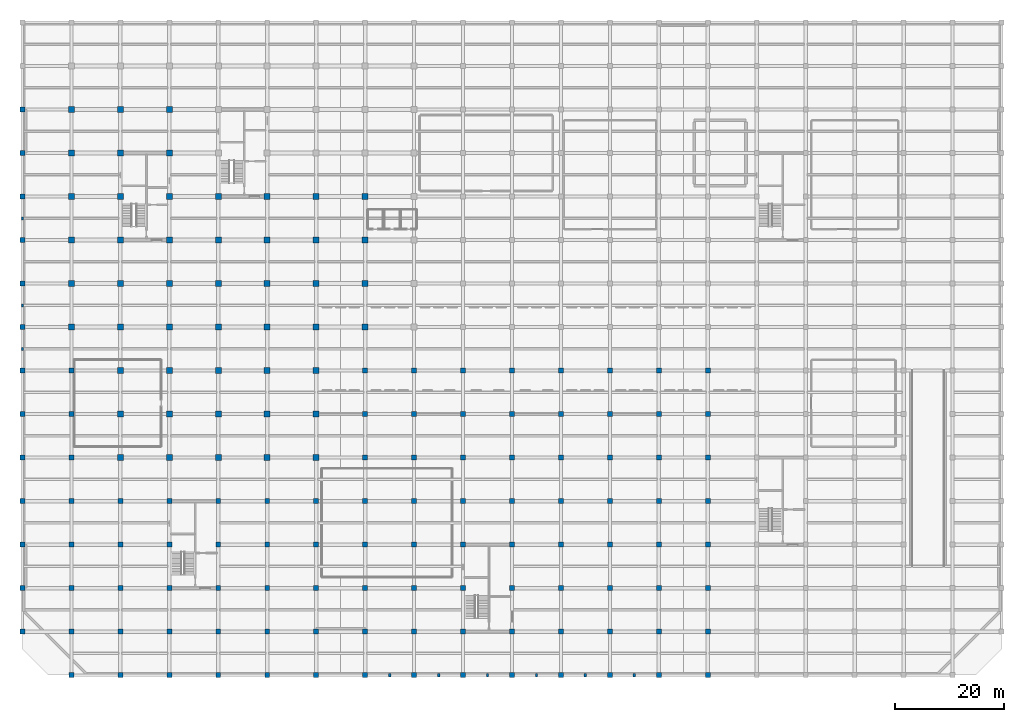
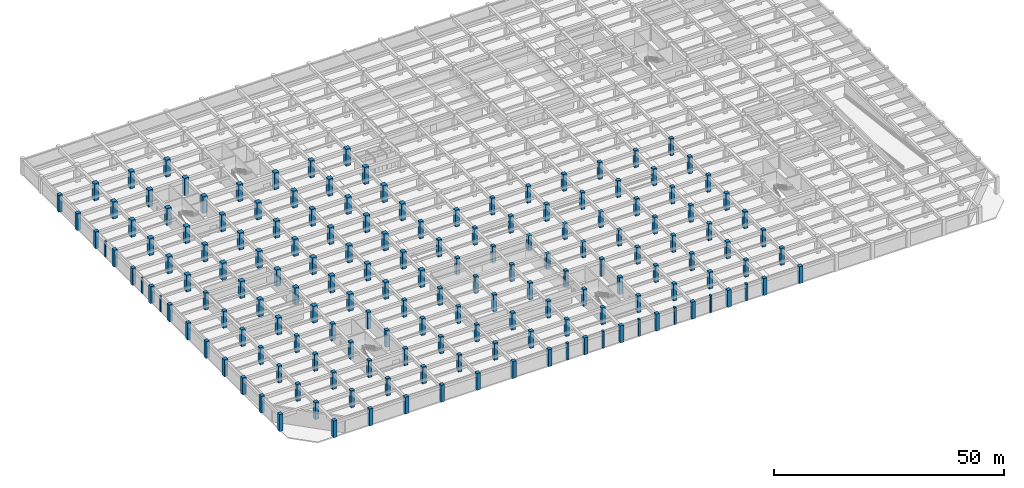
# One storey, part 1 of 26: 168 columns.
"""IFC4 building model written with IfcOpenShell, lengths in metres."""

from ifc_helpers import new_model, si_unit, direction, frame, origin, origin_2d, place, context, subcontext, project, spatial, rectangle, extrude, material, material_profile, profile_set, type_object, element, save


model = new_model("IFC4")

# Units and contexts
model_context = context("Model", 3, precision=1e-05, world=origin(), true_north=direction((0.0, 1.0)))
body_context = subcontext(model_context, "Body", "Model", "MODEL_VIEW")
ifc_project = project(units=[si_unit("LENGTHUNIT", "METRE"), si_unit("AREAUNIT", "SQUARE_METRE"), si_unit("VOLUMEUNIT", "CUBIC_METRE"), si_unit("PLANEANGLEUNIT", "RADIAN"), si_unit("MASSUNIT", "GRAM", prefix="KILO")], contexts=[model_context])

# Site, building, storey
site_placement = place(None, origin())
site = spatial("IfcSite", under=ifc_project, at=site_placement, CompositionType="ELEMENT")
building_placement = place(site_placement, origin())
building = spatial("IfcBuilding", under=site, at=building_placement, Name="Zaverband Oceanarium and Marine Research Institute", CompositionType="ELEMENT")
storey_placement = place(building_placement, frame((0.0, 0.0, -4.5)))
storey = spatial("IfcBuildingStorey", under=building, at=storey_placement, Name="B1", CompositionType="ELEMENT", Elevation=-4.5)

# Columns
ifc_material_1 = material(Name="Concrete C50/60", Category="concrete")
ifc_material_profile_1 = material_profile(ifc_material_1, rectangle(XDim=1.10009765625, YDim=1.10009765625, at=origin_2d()), Name="RC1100x1100")
ifc_profile_set_1 = profile_set([ifc_material_profile_1], Name="Concrete C50/60")
column_type_1 = type_object("IfcColumnType", Name="COL-C1100", PredefinedType="COLUMN", material=ifc_profile_set_1)
for number, where, z_axis, x_axis, name in (
    (1, (9.0, 64.0, 0.0), (0.0, 0.0, 1.0), (1.0, 0.0, 0.0), "Reinforced concrete column RC1100x1100 COL-C1100"),
    (2, (9.0, 72.0, 0.0), (0.0, 0.0, 1.0), (1.0, 0.0, 0.0), "Reinforced concrete column RC1100x1100 COL-C1100"),
    (3, (9.0, 80.0, 0.0), (0.0, 0.0, 1.0), (1.0, 0.0, 0.0), "Reinforced concrete column RC1100x1100 COL-C1100"),
    (4, (9.0, 88.0, 0.0), (0.0, 0.0, 1.0), (1.0, 0.0, 0.0), "Reinforced concrete column RC1100x1100 COL-C1100"),
    (5, (9.0, 96.0, 0.0), (0.0, 0.0, 1.0), (1.0, 0.0, 0.0), "Reinforced concrete column RC1100x1100 COL-C1100"),
    (6, (9.0, 104.0, 0.0), (0.0, 0.0, 1.0), (1.0, 0.0, 0.0), "Reinforced concrete column RC1100x1100 COL-C1100"),
    (7, (18.0, 40.0, 0.0), (0.0, 0.0, 1.0), (1.0, 0.0, 0.0), "Reinforced concrete column RC1100x1100 COL-C1100"),
    (8, (18.0, 48.0, 0.0), (0.0, 0.0, 1.0), (1.0, 0.0, 0.0), "Reinforced concrete column RC1100x1100 COL-C1100"),
    (9, (18.0, 56.0, 0.0), (0.0, 0.0, 1.0), (1.0, 0.0, 0.0), "Reinforced concrete column RC1100x1100 COL-C1100"),
    (10, (18.0, 64.0, 0.0), (0.0, 0.0, 1.0), (1.0, 0.0, 0.0), "Reinforced concrete column RC1100x1100 COL-C1100"),
    (11, (18.0, 72.0, 0.0), (0.0, 0.0, 1.0), (1.0, 0.0, 0.0), "Reinforced concrete column RC1100x1100 COL-C1100"),
    (12, (18.0, 80.0, 0.0), (0.0, 0.0, 1.0), (1.0, 0.0, 0.0), "Reinforced concrete column RC1100x1100 COL-C1100"),
    (13, (18.0, 88.0, 0.0), (0.0, 0.0, 1.0), (1.0, 0.0, 0.0), "Reinforced concrete column RC1100x1100 COL-C1100"),
    (14, (18.0, 96.0, 0.0), (0.0, 0.0, 1.0), (1.0, 0.0, 0.0), "Reinforced concrete column RC1100x1100 COL-C1100"),
    (15, (18.0, 104.0, 0.0), (0.0, 0.0, 1.0), (1.0, 0.0, 0.0), "Reinforced concrete column RC1100x1100 COL-C1100"),
    (16, (27.0, 40.0, 0.0), (0.0, 0.0, 1.0), (1.0, 0.0, 0.0), "Reinforced concrete column RC1100x1100 COL-C1100"),
    (17, (27.0, 48.0, 0.0), (0.0, 0.0, 1.0), (1.0, 0.0, 0.0), "Reinforced concrete column RC1100x1100 COL-C1100"),
    (18, (27.0, 56.0, 0.0), (0.0, 0.0, 1.0), (1.0, 0.0, 0.0), "Reinforced concrete column RC1100x1100 COL-C1100"),
    (19, (27.0, 64.0, 0.0), (0.0, 0.0, 1.0), (1.0, 0.0, 0.0), "Reinforced concrete column RC1100x1100 COL-C1100"),
    (20, (27.0, 72.0, 0.0), (0.0, 0.0, 1.0), (1.0, 0.0, 0.0), "Reinforced concrete column RC1100x1100 COL-C1100"),
    (21, (27.0, 80.0, 0.0), (0.0, 0.0, 1.0), (1.0, 0.0, 0.0), "Reinforced concrete column RC1100x1100 COL-C1100"),
    (22, (27.0, 88.0, 0.0), (0.0, 0.0, 1.0), (1.0, 0.0, 0.0), "Reinforced concrete column RC1100x1100 COL-C1100"),
    (23, (27.0, 96.0, 0.0), (0.0, 0.0, 1.0), (1.0, 0.0, 0.0), "Reinforced concrete column RC1100x1100 COL-C1100"),
    (24, (27.0, 104.0, 0.0), (0.0, 0.0, 1.0), (1.0, 0.0, 0.0), "Reinforced concrete column RC1100x1100 COL-C1100"),
    (25, (36.0, 40.0, 0.0), (0.0, 0.0, 1.0), (1.0, 0.0, 0.0), "Reinforced concrete column RC1100x1100 COL-C1100"),
    (26, (36.0, 48.0, 0.0), (0.0, 0.0, 1.0), (1.0, 0.0, 0.0), "Reinforced concrete column RC1100x1100 COL-C1100"),
    (27, (36.0, 56.0, 0.0), (0.0, 0.0, 1.0), (1.0, 0.0, 0.0), "Reinforced concrete column RC1100x1100 COL-C1100"),
    (28, (36.0, 64.0, 0.0), (0.0, 0.0, 1.0), (1.0, 0.0, 0.0), "Reinforced concrete column RC1100x1100 COL-C1100"),
    (29, (36.0, 72.0, 0.0), (0.0, 0.0, 1.0), (1.0, 0.0, 0.0), "Reinforced concrete column RC1100x1100 COL-C1100"),
    (30, (36.0, 80.0, 0.0), (0.0, 0.0, 1.0), (1.0, 0.0, 0.0), "Reinforced concrete column RC1100x1100 COL-C1100"),
    (31, (36.0, 88.0, 0.0), (0.0, 0.0, 1.0), (1.0, 0.0, 0.0), "Reinforced concrete column RC1100x1100 COL-C1100"),
    (32, (45.0, 40.0, 0.0), (0.0, 0.0, 1.0), (1.0, 0.0, 0.0), "Reinforced concrete column RC1100x1100 COL-C1100"),
    (33, (45.0, 48.0, 0.0), (0.0, 0.0, 1.0), (1.0, 0.0, 0.0), "Reinforced concrete column RC1100x1100 COL-C1100"),
    (34, (45.0, 56.0, 0.0), (0.0, 0.0, 1.0), (1.0, 0.0, 0.0), "Reinforced concrete column RC1100x1100 COL-C1100"),
    (35, (45.0, 64.0, 0.0), (0.0, 0.0, 1.0), (1.0, 0.0, 0.0), "Reinforced concrete column RC1100x1100 COL-C1100"),
    (36, (45.0, 72.0, 0.0), (0.0, 0.0, 1.0), (1.0, 0.0, 0.0), "Reinforced concrete column RC1100x1100 COL-C1100"),
    (37, (45.0, 80.0, 0.0), (0.0, 0.0, 1.0), (1.0, 0.0, 0.0), "Reinforced concrete column RC1100x1100 COL-C1100"),
    (38, (45.0, 88.0, 0.0), (0.0, 0.0, 1.0), (1.0, 0.0, 0.0), "Reinforced concrete column RC1100x1100 COL-C1100"),
    (39, (54.0, 40.0, 0.0), (0.0, 0.0, 1.0), (1.0, 0.0, 0.0), "Reinforced concrete column RC1100x1100 COL-C1100"),
    (40, (54.0, 48.0, 0.0), (0.0, 0.0, 1.0), (1.0, 0.0, 0.0), "Reinforced concrete column RC1100x1100 COL-C1100"),
    (41, (54.0, 56.0, 0.0), (0.0, 0.0, 1.0), (1.0, 0.0, 0.0), "Reinforced concrete column RC1100x1100 COL-C1100"),
    (42, (54.0, 64.0, 0.0), (0.0, 0.0, 1.0), (1.0, 0.0, 0.0), "Reinforced concrete column RC1100x1100 COL-C1100"),
    (43, (54.0, 72.0, 0.0), (0.0, 0.0, 1.0), (1.0, 0.0, 0.0), "Reinforced concrete column RC1100x1100 COL-C1100"),
    (44, (54.0, 80.0, 0.0), (0.0, 0.0, 1.0), (1.0, 0.0, 0.0), "Reinforced concrete column RC1100x1100 COL-C1100"),
    (45, (54.0, 88.0, 0.0), (0.0, 0.0, 1.0), (1.0, 0.0, 0.0), "Reinforced concrete column RC1100x1100 COL-C1100"),
    (46, (63.0, 64.0, 0.0), (0.0, 0.0, 1.0), (1.0, 0.0, 0.0), "Reinforced concrete column RC1100x1100 COL-C1100"),
    (47, (63.0, 72.0, 0.0), (0.0, 0.0, 1.0), (1.0, 0.0, 0.0), "Reinforced concrete column RC1100x1100 COL-C1100"),
    (48, (63.0, 80.0, 0.0), (0.0, 0.0, 1.0), (1.0, 0.0, 0.0), "Reinforced concrete column RC1100x1100 COL-C1100"),
    (49, (63.0, 88.0, 0.0), (0.0, 0.0, 1.0), (1.0, 0.0, 0.0), "Reinforced concrete column RC1100x1100 COL-C1100"),
):
    element("IfcColumn", number, at=place(storey_placement, frame(where, z_axis=z_axis, x_axis=x_axis)), inside=storey, type_object=column_type_1, Name=name, PredefinedType="COLUMN", context=body_context, shape_type="SweptSolid", body=[
        extrude(rectangle(XDim=1.10009765625, YDim=1.10009765625, at=origin_2d()), origin(), (0.0, 0.0, 1.0), 4.5),
    ])
ifc_material_profile_2 = material_profile(ifc_material_1, rectangle(XDim=0.89990234375, YDim=0.89990234375, at=origin_2d()), Name="RC900x900")
ifc_profile_set_2 = profile_set([ifc_material_profile_2], Name="Concrete C50/60")
column_type_2 = type_object("IfcColumnType", Name="COL-C900", PredefinedType="COLUMN", material=ifc_profile_set_2)
for number, where, z_axis, x_axis, name in (
    (50, (0.0, 8.0, 0.0), (0.0, 0.0, 1.0), (1.0, 0.0, 0.0), "Reinforced concrete column RC900x900 COL-C900"),
    (51, (0.0, 16.0, 0.0), (0.0, 0.0, 1.0), (1.0, 0.0, 0.0), "Reinforced concrete column RC900x900 COL-C900"),
    (52, (0.0, 24.0, 0.0), (0.0, 0.0, 1.0), (1.0, 0.0, 0.0), "Reinforced concrete column RC900x900 COL-C900"),
    (53, (0.0, 32.0, 0.0), (0.0, 0.0, 1.0), (1.0, 0.0, 0.0), "Reinforced concrete column RC900x900 COL-C900"),
    (54, (0.0, 40.0, 0.0), (0.0, 0.0, 1.0), (1.0, 0.0, 0.0), "Reinforced concrete column RC900x900 COL-C900"),
    (55, (0.0, 48.0, 0.0), (0.0, 0.0, 1.0), (1.0, 0.0, 0.0), "Reinforced concrete column RC900x900 COL-C900"),
    (56, (0.0, 56.0, 0.0), (0.0, 0.0, 1.0), (1.0, 0.0, 0.0), "Reinforced concrete column RC900x900 COL-C900"),
    (57, (0.0, 64.0, 0.0), (0.0, 0.0, 1.0), (1.0, 0.0, 0.0), "Reinforced concrete column RC900x900 COL-C900"),
    (58, (0.0, 72.0, 0.0), (0.0, 0.0, 1.0), (1.0, 0.0, 0.0), "Reinforced concrete column RC900x900 COL-C900"),
    (59, (0.0, 80.0, 0.0), (0.0, 0.0, 1.0), (1.0, 0.0, 0.0), "Reinforced concrete column RC900x900 COL-C900"),
    (60, (0.0, 88.0, 0.0), (0.0, 0.0, 1.0), (1.0, 0.0, 0.0), "Reinforced concrete column RC900x900 COL-C900"),
    (61, (0.0, 96.0, 0.0), (0.0, 0.0, 1.0), (1.0, 0.0, 0.0), "Reinforced concrete column RC900x900 COL-C900"),
    (62, (0.0, 104.0, 0.0), (0.0, 0.0, 1.0), (1.0, 0.0, 0.0), "Reinforced concrete column RC900x900 COL-C900"),
    (63, (9.0, 0.0, 0.0), (0.0, 0.0, 1.0), (1.0, 0.0, 0.0), "Reinforced concrete column RC900x900 COL-C900"),
    (64, (9.0, 8.0, 0.0), (0.0, 0.0, 1.0), (1.0, 0.0, 0.0), "Reinforced concrete column RC900x900 COL-C900"),
    (65, (9.0, 16.0, 0.0), (0.0, 0.0, 1.0), (1.0, 0.0, 0.0), "Reinforced concrete column RC900x900 COL-C900"),
    (66, (9.0, 24.0, 0.0), (0.0, 0.0, 1.0), (1.0, 0.0, 0.0), "Reinforced concrete column RC900x900 COL-C900"),
    (67, (9.0, 32.0, 0.0), (0.0, 0.0, 1.0), (1.0, 0.0, 0.0), "Reinforced concrete column RC900x900 COL-C900"),
    (68, (9.0, 40.0, 0.0), (0.0, 0.0, 1.0), (1.0, 0.0, 0.0), "Reinforced concrete column RC900x900 COL-C900"),
    (69, (9.0, 48.0, 0.0), (0.0, 0.0, 1.0), (1.0, 0.0, 0.0), "Reinforced concrete column RC900x900 COL-C900"),
    (70, (9.0, 56.0, 0.0), (0.0, 0.0, 1.0), (1.0, 0.0, 0.0), "Reinforced concrete column RC900x900 COL-C900"),
    (71, (18.0, 0.0, 0.0), (0.0, 0.0, 1.0), (1.0, 0.0, 0.0), "Reinforced concrete column RC900x900 COL-C900"),
    (72, (18.0, 8.0, 0.0), (0.0, 0.0, 1.0), (1.0, 0.0, 0.0), "Reinforced concrete column RC900x900 COL-C900"),
    (73, (18.0, 16.0, 0.0), (0.0, 0.0, 1.0), (1.0, 0.0, 0.0), "Reinforced concrete column RC900x900 COL-C900"),
    (74, (18.0, 24.0, 0.0), (0.0, 0.0, 1.0), (1.0, 0.0, 0.0), "Reinforced concrete column RC900x900 COL-C900"),
    (75, (18.0, 32.0, 0.0), (0.0, 0.0, 1.0), (1.0, 0.0, 0.0), "Reinforced concrete column RC900x900 COL-C900"),
    (76, (27.0, 0.0, 0.0), (0.0, 0.0, 1.0), (1.0, 0.0, 0.0), "Reinforced concrete column RC900x900 COL-C900"),
    (77, (27.0, 8.0, 0.0), (0.0, 0.0, 1.0), (1.0, 0.0, 0.0), "Reinforced concrete column RC900x900 COL-C900"),
    (78, (27.0, 16.0, 0.0), (0.0, 0.0, 1.0), (1.0, 0.0, 0.0), "Reinforced concrete column RC900x900 COL-C900"),
    (79, (27.0, 24.0, 0.0), (0.0, 0.0, 1.0), (1.0, 0.0, 0.0), "Reinforced concrete column RC900x900 COL-C900"),
    (80, (27.0, 32.0, 0.0), (0.0, 0.0, 1.0), (1.0, 0.0, 0.0), "Reinforced concrete column RC900x900 COL-C900"),
    (81, (36.0, 0.0, 0.0), (0.0, 0.0, 1.0), (1.0, 0.0, 0.0), "Reinforced concrete column RC900x900 COL-C900"),
    (82, (36.0, 8.0, 0.0), (0.0, 0.0, 1.0), (1.0, 0.0, 0.0), "Reinforced concrete column RC900x900 COL-C900"),
    (83, (36.0, 16.0, 0.0), (0.0, 0.0, 1.0), (1.0, 0.0, 0.0), "Reinforced concrete column RC900x900 COL-C900"),
    (84, (36.0, 24.0, 0.0), (0.0, 0.0, 1.0), (1.0, 0.0, 0.0), "Reinforced concrete column RC900x900 COL-C900"),
    (85, (36.0, 32.0, 0.0), (0.0, 0.0, 1.0), (1.0, 0.0, 0.0), "Reinforced concrete column RC900x900 COL-C900"),
    (86, (45.0, 0.0, 0.0), (0.0, 0.0, 1.0), (1.0, 0.0, 0.0), "Reinforced concrete column RC900x900 COL-C900"),
    (87, (45.0, 8.0, 0.0), (0.0, 0.0, 1.0), (1.0, 0.0, 0.0), "Reinforced concrete column RC900x900 COL-C900"),
    (88, (45.0, 16.0, 0.0), (0.0, 0.0, 1.0), (1.0, 0.0, 0.0), "Reinforced concrete column RC900x900 COL-C900"),
    (89, (45.0, 24.0, 0.0), (0.0, 0.0, 1.0), (1.0, 0.0, 0.0), "Reinforced concrete column RC900x900 COL-C900"),
    (90, (45.0, 32.0, 0.0), (0.0, 0.0, 1.0), (1.0, 0.0, 0.0), "Reinforced concrete column RC900x900 COL-C900"),
    (91, (54.0, 0.0, 0.0), (0.0, 0.0, 1.0), (1.0, 0.0, 0.0), "Reinforced concrete column RC900x900 COL-C900"),
    (92, (54.0, 8.0, 0.0), (0.0, 0.0, 1.0), (1.0, 0.0, 0.0), "Reinforced concrete column RC900x900 COL-C900"),
    (93, (54.0, 16.0, 0.0), (0.0, 0.0, 1.0), (1.0, 0.0, 0.0), "Reinforced concrete column RC900x900 COL-C900"),
    (94, (54.0, 24.0, 0.0), (0.0, 0.0, 1.0), (1.0, 0.0, 0.0), "Reinforced concrete column RC900x900 COL-C900"),
    (95, (54.0, 32.0, 0.0), (0.0, 0.0, 1.0), (1.0, 0.0, 0.0), "Reinforced concrete column RC900x900 COL-C900"),
    (96, (63.0, 0.0, 0.0), (0.0, 0.0, 1.0), (1.0, 0.0, 0.0), "Reinforced concrete column RC900x900 COL-C900"),
    (97, (63.0, 8.0, 0.0), (0.0, 0.0, 1.0), (1.0, 0.0, 0.0), "Reinforced concrete column RC900x900 COL-C900"),
    (98, (63.0, 16.0, 0.0), (0.0, 0.0, 1.0), (1.0, 0.0, 0.0), "Reinforced concrete column RC900x900 COL-C900"),
    (99, (63.0, 24.0, 0.0), (0.0, 0.0, 1.0), (1.0, 0.0, 0.0), "Reinforced concrete column RC900x900 COL-C900"),
    (100, (63.0, 32.0, 0.0), (0.0, 0.0, 1.0), (1.0, 0.0, 0.0), "Reinforced concrete column RC900x900 COL-C900"),
    (101, (63.0, 40.0, 0.0), (0.0, 0.0, 1.0), (1.0, 0.0, 0.0), "Reinforced concrete column RC900x900 COL-C900"),
    (102, (63.0, 48.0, 0.0), (0.0, 0.0, 1.0), (1.0, 0.0, 0.0), "Reinforced concrete column RC900x900 COL-C900"),
    (103, (63.0, 56.0, 0.0), (0.0, 0.0, 1.0), (1.0, 0.0, 0.0), "Reinforced concrete column RC900x900 COL-C900"),
    (104, (72.0, 0.0, 0.0), (0.0, 0.0, 1.0), (1.0, 0.0, 0.0), "Reinforced concrete column RC900x900 COL-C900"),
    (105, (72.0, 8.0, 0.0), (0.0, 0.0, 1.0), (1.0, 0.0, 0.0), "Reinforced concrete column RC900x900 COL-C900"),
    (106, (72.0, 16.0, 0.0), (0.0, 0.0, 1.0), (1.0, 0.0, 0.0), "Reinforced concrete column RC900x900 COL-C900"),
    (107, (72.0, 24.0, 0.0), (0.0, 0.0, 1.0), (1.0, 0.0, 0.0), "Reinforced concrete column RC900x900 COL-C900"),
    (108, (72.0, 32.0, 0.0), (0.0, 0.0, 1.0), (1.0, 0.0, 0.0), "Reinforced concrete column RC900x900 COL-C900"),
    (109, (72.0, 40.0, 0.0), (0.0, 0.0, 1.0), (1.0, 0.0, 0.0), "Reinforced concrete column RC900x900 COL-C900"),
    (110, (72.0, 48.0, 0.0), (0.0, 0.0, 1.0), (1.0, 0.0, 0.0), "Reinforced concrete column RC900x900 COL-C900"),
    (111, (72.0, 56.0, 0.0), (0.0, 0.0, 1.0), (1.0, 0.0, 0.0), "Reinforced concrete column RC900x900 COL-C900"),
    (112, (81.0, 0.0, 0.0), (0.0, 0.0, 1.0), (1.0, 0.0, 0.0), "Reinforced concrete column RC900x900 COL-C900"),
    (113, (81.0, 8.0, 0.0), (0.0, 0.0, 1.0), (1.0, 0.0, 0.0), "Reinforced concrete column RC900x900 COL-C900"),
    (114, (81.0, 16.0, 0.0), (0.0, 0.0, 1.0), (1.0, 0.0, 0.0), "Reinforced concrete column RC900x900 COL-C900"),
    (115, (81.0, 24.0, 0.0), (0.0, 0.0, 1.0), (1.0, 0.0, 0.0), "Reinforced concrete column RC900x900 COL-C900"),
):
    element("IfcColumn", number, at=place(storey_placement, frame(where, z_axis=z_axis, x_axis=x_axis)), inside=storey, type_object=column_type_2, Name=name, PredefinedType="COLUMN", context=body_context, shape_type="SweptSolid", body=[
        extrude(rectangle(XDim=0.89990234375, YDim=0.89990234375, at=origin_2d()), origin(), (0.0, 0.0, 1.0), 4.5),
    ])
for number, where, z_axis, x_axis, name in (
    (116, (81.0, 32.0, 0.0), (0.0, 0.0, 1.0), (1.0, 0.0, 0.0), "Reinforced concrete column RC900x900 COL-C900"),
    (117, (81.0, 40.0, 0.0), (0.0, 0.0, 1.0), (1.0, 0.0, 0.0), "Reinforced concrete column RC900x900 COL-C900"),
):
    element("IfcColumn", number, at=place(storey_placement, frame(where, z_axis=z_axis, x_axis=x_axis)), inside=storey, type_object=column_type_2, Name=name, PredefinedType="COLUMN", context=body_context, shape_type="SweptSolid", body=[
        extrude(rectangle(XDim=0.89990234375, YDim=0.89990234375, at=origin_2d()), origin(), (0.0, 0.0, 1.0), 4.14990234375),
    ])
for number, where, z_axis, x_axis, name in (
    (118, (81.0, 48.0, 0.0), (0.0, 0.0, 1.0), (1.0, 0.0, 0.0), "Reinforced concrete column RC900x900 COL-C900"),
    (119, (81.0, 56.0, 0.0), (0.0, 0.0, 1.0), (1.0, 0.0, 0.0), "Reinforced concrete column RC900x900 COL-C900"),
    (120, (90.0, 0.0, 0.0), (0.0, 0.0, 1.0), (1.0, 0.0, 0.0), "Reinforced concrete column RC900x900 COL-C900"),
    (121, (90.0, 8.0, 0.0), (0.0, 0.0, 1.0), (1.0, 0.0, 0.0), "Reinforced concrete column RC900x900 COL-C900"),
    (122, (90.0, 16.0, 0.0), (0.0, 0.0, 1.0), (1.0, 0.0, 0.0), "Reinforced concrete column RC900x900 COL-C900"),
    (123, (90.0, 24.0, 0.0), (0.0, 0.0, 1.0), (1.0, 0.0, 0.0), "Reinforced concrete column RC900x900 COL-C900"),
):
    element("IfcColumn", number, at=place(storey_placement, frame(where, z_axis=z_axis, x_axis=x_axis)), inside=storey, type_object=column_type_2, Name=name, PredefinedType="COLUMN", context=body_context, shape_type="SweptSolid", body=[
        extrude(rectangle(XDim=0.89990234375, YDim=0.89990234375, at=origin_2d()), origin(), (0.0, 0.0, 1.0), 4.5),
    ])
for number, where, z_axis, x_axis, name in (
    (124, (90.0, 32.0, 0.0), (0.0, 0.0, 1.0), (1.0, 0.0, 0.0), "Reinforced concrete column RC900x900 COL-C900"),
    (125, (90.0, 40.0, 0.0), (0.0, 0.0, 1.0), (1.0, 0.0, 0.0), "Reinforced concrete column RC900x900 COL-C900"),
):
    element("IfcColumn", number, at=place(storey_placement, frame(where, z_axis=z_axis, x_axis=x_axis)), inside=storey, type_object=column_type_2, Name=name, PredefinedType="COLUMN", context=body_context, shape_type="SweptSolid", body=[
        extrude(rectangle(XDim=0.89990234375, YDim=0.89990234375, at=origin_2d()), origin(), (0.0, 0.0, 1.0), 4.14990234375),
    ])
for number, where, z_axis, x_axis, name in (
    (126, (90.0, 48.0, 0.0), (0.0, 0.0, 1.0), (1.0, 0.0, 0.0), "Reinforced concrete column RC900x900 COL-C900"),
    (127, (90.0, 56.0, 0.0), (0.0, 0.0, 1.0), (1.0, 0.0, 0.0), "Reinforced concrete column RC900x900 COL-C900"),
    (128, (99.0, 0.0, 0.0), (0.0, 0.0, 1.0), (1.0, 0.0, 0.0), "Reinforced concrete column RC900x900 COL-C900"),
    (129, (99.0, 8.0, 0.0), (0.0, 0.0, 1.0), (1.0, 0.0, 0.0), "Reinforced concrete column RC900x900 COL-C900"),
    (130, (99.0, 16.0, 0.0), (0.0, 0.0, 1.0), (1.0, 0.0, 0.0), "Reinforced concrete column RC900x900 COL-C900"),
    (131, (99.0, 24.0, 0.0), (0.0, 0.0, 1.0), (1.0, 0.0, 0.0), "Reinforced concrete column RC900x900 COL-C900"),
):
    element("IfcColumn", number, at=place(storey_placement, frame(where, z_axis=z_axis, x_axis=x_axis)), inside=storey, type_object=column_type_2, Name=name, PredefinedType="COLUMN", context=body_context, shape_type="SweptSolid", body=[
        extrude(rectangle(XDim=0.89990234375, YDim=0.89990234375, at=origin_2d()), origin(), (0.0, 0.0, 1.0), 4.5),
    ])
for number, where, z_axis, x_axis, name in (
    (132, (99.0, 32.0, 0.0), (0.0, 0.0, 1.0), (1.0, 0.0, 0.0), "Reinforced concrete column RC900x900 COL-C900"),
    (133, (99.0, 40.0, 0.0), (0.0, 0.0, 1.0), (1.0, 0.0, 0.0), "Reinforced concrete column RC900x900 COL-C900"),
):
    element("IfcColumn", number, at=place(storey_placement, frame(where, z_axis=z_axis, x_axis=x_axis)), inside=storey, type_object=column_type_2, Name=name, PredefinedType="COLUMN", context=body_context, shape_type="SweptSolid", body=[
        extrude(rectangle(XDim=0.89990234375, YDim=0.89990234375, at=origin_2d()), origin(), (0.0, 0.0, 1.0), 4.14990234375),
    ])
for number, where, z_axis, x_axis, name in (
    (134, (99.0, 48.0, 0.0), (0.0, 0.0, 1.0), (1.0, 0.0, 0.0), "Reinforced concrete column RC900x900 COL-C900"),
    (135, (99.0, 56.0, 0.0), (0.0, 0.0, 1.0), (1.0, 0.0, 0.0), "Reinforced concrete column RC900x900 COL-C900"),
    (136, (108.0, 0.0, 0.0), (0.0, 0.0, 1.0), (1.0, 0.0, 0.0), "Reinforced concrete column RC900x900 COL-C900"),
    (137, (108.0, 8.0, 0.0), (0.0, 0.0, 1.0), (1.0, 0.0, 0.0), "Reinforced concrete column RC900x900 COL-C900"),
    (138, (108.0, 16.0, 0.0), (0.0, 0.0, 1.0), (1.0, 0.0, 0.0), "Reinforced concrete column RC900x900 COL-C900"),
    (139, (108.0, 24.0, 0.0), (0.0, 0.0, 1.0), (1.0, 0.0, 0.0), "Reinforced concrete column RC900x900 COL-C900"),
    (140, (108.0, 32.0, 0.0), (0.0, 0.0, 1.0), (1.0, 0.0, 0.0), "Reinforced concrete column RC900x900 COL-C900"),
    (141, (108.0, 40.0, 0.0), (0.0, 0.0, 1.0), (1.0, 0.0, 0.0), "Reinforced concrete column RC900x900 COL-C900"),
    (142, (108.0, 48.0, 0.0), (0.0, 0.0, 1.0), (1.0, 0.0, 0.0), "Reinforced concrete column RC900x900 COL-C900"),
    (143, (108.0, 56.0, 0.0), (0.0, 0.0, 1.0), (1.0, 0.0, 0.0), "Reinforced concrete column RC900x900 COL-C900"),
    (144, (117.0, 0.0, 0.0), (0.0, 0.0, 1.0), (1.0, 0.0, 0.0), "Reinforced concrete column RC900x900 COL-C900"),
    (145, (117.0, 8.0, 0.0), (0.0, 0.0, 1.0), (1.0, 0.0, 0.0), "Reinforced concrete column RC900x900 COL-C900"),
    (146, (117.0, 16.0, 0.0), (0.0, 0.0, 1.0), (1.0, 0.0, 0.0), "Reinforced concrete column RC900x900 COL-C900"),
    (147, (117.0, 24.0, 0.0), (0.0, 0.0, 1.0), (1.0, 0.0, 0.0), "Reinforced concrete column RC900x900 COL-C900"),
    (148, (117.0, 32.0, 0.0), (0.0, 0.0, 1.0), (1.0, 0.0, 0.0), "Reinforced concrete column RC900x900 COL-C900"),
    (149, (117.0, 40.0, 0.0), (0.0, 0.0, 1.0), (1.0, 0.0, 0.0), "Reinforced concrete column RC900x900 COL-C900"),
    (150, (117.0, 48.0, 0.0), (0.0, 0.0, 1.0), (1.0, 0.0, 0.0), "Reinforced concrete column RC900x900 COL-C900"),
    (151, (117.0, 56.0, 0.0), (0.0, 0.0, 1.0), (1.0, 0.0, 0.0), "Reinforced concrete column RC900x900 COL-C900"),
    (152, (126.0, 0.0, 0.0), (0.0, 0.0, 1.0), (1.0, 0.0, 0.0), "Reinforced concrete column RC900x900 COL-C900"),
    (153, (126.0, 8.0, 0.0), (0.0, 0.0, 1.0), (1.0, 0.0, 0.0), "Reinforced concrete column RC900x900 COL-C900"),
    (154, (126.0, 16.0, 0.0), (0.0, 0.0, 1.0), (1.0, 0.0, 0.0), "Reinforced concrete column RC900x900 COL-C900"),
    (155, (126.0, 24.0, 0.0), (0.0, 0.0, 1.0), (1.0, 0.0, 0.0), "Reinforced concrete column RC900x900 COL-C900"),
    (156, (126.0, 32.0, 0.0), (0.0, 0.0, 1.0), (1.0, 0.0, 0.0), "Reinforced concrete column RC900x900 COL-C900"),
    (157, (126.0, 40.0, 0.0), (0.0, 0.0, 1.0), (1.0, 0.0, 0.0), "Reinforced concrete column RC900x900 COL-C900"),
    (158, (126.0, 48.0, 0.0), (0.0, 0.0, 1.0), (1.0, 0.0, 0.0), "Reinforced concrete column RC900x900 COL-C900"),
    (159, (126.0, 56.0, 0.0), (0.0, 0.0, 1.0), (1.0, 0.0, 0.0), "Reinforced concrete column RC900x900 COL-C900"),
):
    element("IfcColumn", number, at=place(storey_placement, frame(where, z_axis=z_axis, x_axis=x_axis)), inside=storey, type_object=column_type_2, Name=name, PredefinedType="COLUMN", context=body_context, shape_type="SweptSolid", body=[
        extrude(rectangle(XDim=0.89990234375, YDim=0.89990234375, at=origin_2d()), origin(), (0.0, 0.0, 1.0), 4.5),
    ])
ifc_material_2 = material(Name="Concrete C40/50", Category="concrete")
ifc_material_profile_3 = material_profile(ifc_material_2, rectangle(XDim=0.39990234375, YDim=0.550048828125, at=origin_2d()), Name="RC400x550")
ifc_profile_set_3 = profile_set([ifc_material_profile_3], Name="Concrete C40/50")
column_type_3 = type_object("IfcColumnType", Name="PIL-400x550", PredefinedType="PILASTER", material=ifc_profile_set_3)
for number, where, z_axis, x_axis, name in (
    (160, (0.0, 60.0, 0.0), (0.0, 0.0, 1.0), (1.0, 0.0, 0.0), "Fluted precast/cast-in-place colonnade pilaster RC400x550 PIL-400x550"),
    (161, (0.0, 68.0, 0.0), (0.0, 0.0, 1.0), (1.0, 0.0, 0.0), "Fluted precast/cast-in-place colonnade pilaster RC400x550 PIL-400x550"),
    (162, (0.0, 84.0, 0.0), (0.0, 0.0, 1.0), (1.0, 0.0, 0.0), "Fluted precast/cast-in-place colonnade pilaster RC400x550 PIL-400x550"),
):
    element("IfcColumn", number, at=place(storey_placement, frame(where, z_axis=z_axis, x_axis=x_axis)), inside=storey, type_object=column_type_3, Name=name, PredefinedType="PILASTER", context=body_context, shape_type="SweptSolid", body=[
        extrude(rectangle(XDim=0.39990234375, YDim=0.550048828125, at=origin_2d()), origin(), (0.0, 0.0, 1.0), 4.14990234375),
    ])
ifc_material_profile_4 = material_profile(ifc_material_2, rectangle(XDim=0.449951171875, YDim=0.64990234375, at=origin_2d()), Name="RC450x650")
ifc_profile_set_4 = profile_set([ifc_material_profile_4], Name="Concrete C40/50")
column_type_4 = type_object("IfcColumnType", Name="PIL-450x650", PredefinedType="PILASTER", material=ifc_profile_set_4)
for number, where, z_axis, x_axis, name in (
    (163, (67.5, 0.0, 0.0), (0.0, 0.0, 1.0), (1.0, 0.0, 0.0), "Fluted precast/cast-in-place colonnade pilaster RC450x650 PIL-450x650"),
    (164, (76.5, 0.0, 0.0), (0.0, 0.0, 1.0), (1.0, 0.0, 0.0), "Fluted precast/cast-in-place colonnade pilaster RC450x650 PIL-450x650"),
    (165, (85.5, 0.0, 0.0), (0.0, 0.0, 1.0), (1.0, 0.0, 0.0), "Fluted precast/cast-in-place colonnade pilaster RC450x650 PIL-450x650"),
    (166, (94.5, 0.0, 0.0), (0.0, 0.0, 1.0), (1.0, 0.0, 0.0), "Fluted precast/cast-in-place colonnade pilaster RC450x650 PIL-450x650"),
    (167, (103.5, 0.0, 0.0), (0.0, 0.0, 1.0), (1.0, 0.0, 0.0), "Fluted precast/cast-in-place colonnade pilaster RC450x650 PIL-450x650"),
    (168, (112.5, 0.0, 0.0), (0.0, 0.0, 1.0), (1.0, 0.0, 0.0), "Fluted precast/cast-in-place colonnade pilaster RC450x650 PIL-450x650"),
):
    element("IfcColumn", number, at=place(storey_placement, frame(where, z_axis=z_axis, x_axis=x_axis)), inside=storey, type_object=column_type_4, Name=name, PredefinedType="PILASTER", context=body_context, shape_type="SweptSolid", body=[
        extrude(rectangle(XDim=0.449951171875, YDim=0.64990234375, at=origin_2d()), origin(), (0.0, 0.0, 1.0), 4.5),
    ])

save(model, "model.ifc")
